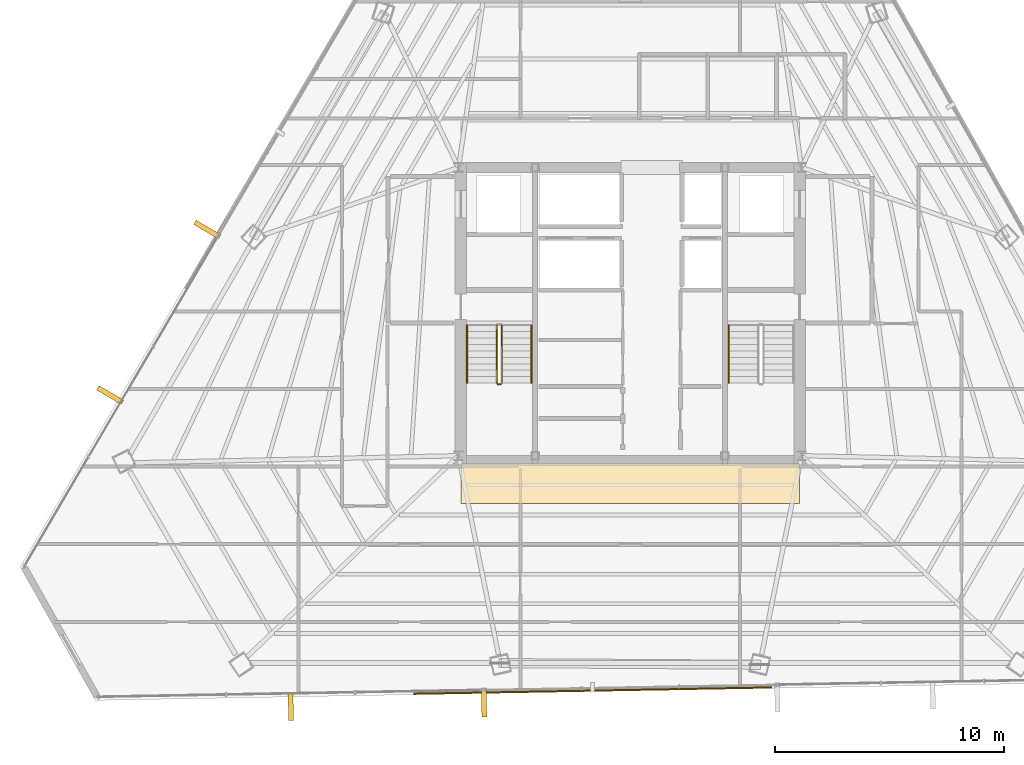
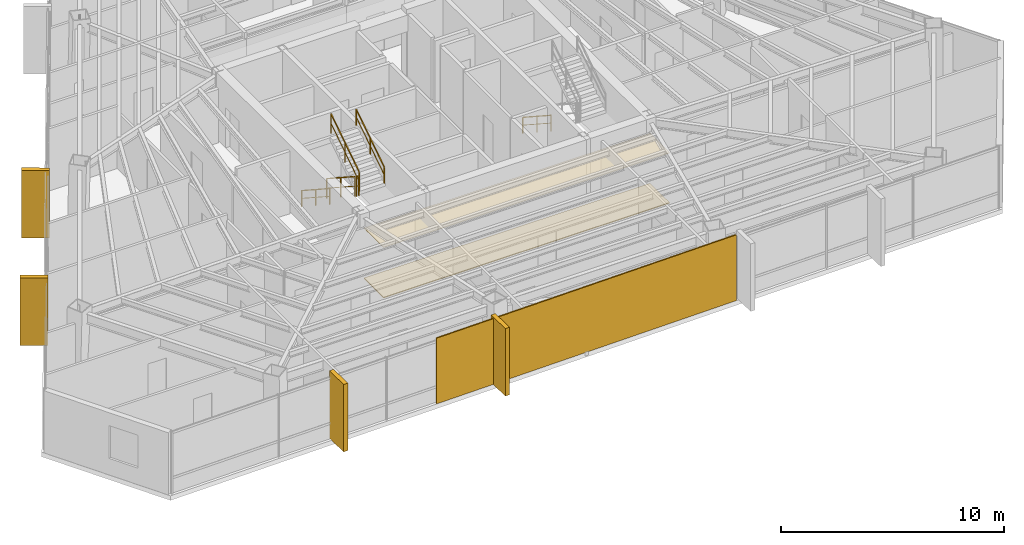
# One storey, part 39 of 42: 6 coverings, 6 railings, 1 shading device.
"""IFC4 building model written with IfcOpenShell, lengths in metres."""

from ifc_helpers import new_model, si_unit, direction, frame, origin, origin_2d, place, context, subcontext, project, spatial, polyline, rectangle, outline, extrude, source, transform, mapped, material, layer, layer_set, type_object, type_shapes, element, save


model = new_model("IFC4")

# Units and contexts
model_context = context("Model", 3, precision=1e-05, world=origin(), true_north=direction((0.0, 1.0)))
body_context = subcontext(model_context, "Body", "Model", "MODEL_VIEW")
ifc_project = project(units=[si_unit("LENGTHUNIT", "METRE"), si_unit("AREAUNIT", "SQUARE_METRE"), si_unit("VOLUMEUNIT", "CUBIC_METRE"), si_unit("PLANEANGLEUNIT", "RADIAN"), si_unit("MASSUNIT", "GRAM", prefix="KILO")], contexts=[model_context])

# Site, building, storey
site_placement = place(None, origin())
site = spatial("IfcSite", under=ifc_project, at=site_placement, CompositionType="ELEMENT")
building_placement = place(site_placement, origin())
building = spatial("IfcBuilding", under=site, at=building_placement, Name="Caelisora Broadcast Tower", CompositionType="ELEMENT")
storey_placement = place(building_placement, frame((0.0, 0.0, 202.300048828125)))
storey = spatial("IfcBuildingStorey", under=building, at=storey_placement, Name="L53", CompositionType="ELEMENT", Elevation=202.300048828125)

# Coverings
ifc_material_1 = material(Name="Perforated Mineral-Fibre Acoustic Ceiling Tile", Category="gypsum")
ifc_layer_1 = layer(ifc_material_1, 0.034912109375, Name="Perforated Mineral-Fibre Acoustic Ceiling Tile")
ifc_layer_set_1 = layer_set([ifc_layer_1], Name="Perforated Mineral-Fibre Acoustic Ceiling Tile")
covering_type_1 = type_object("IfcCoveringType", Name="CE-1", PredefinedType="CEILING", material=ifc_layer_set_1)
covering_1_placement = place(storey_placement, frame((0.0, 0.0, 2.75)))
element("IfcCovering", 1, at=covering_1_placement, inside=storey, type_object=covering_type_1, Name="L53 acoustic corridor ceiling CE-1 (S)", PredefinedType="CEILING", context=body_context, shape_type="SweptSolid", body=[
    extrude(outline(polyline([(30.60009765625, 15.300048828125), (45.39990234375, 15.300048828125), (45.39990234375, 17.050048828125), (30.60009765625, 17.050048828125), (30.60009765625, 15.300048828125)])), origin(), (0.0, 0.0, 1.0), 0.034912109375),
])
ifc_material_2 = material(Name="Anti-Static Broadcast Raised Access Floor Panel", Category="steel")
ifc_layer_2 = layer(ifc_material_2, 0.044921875, Name="Anti-Static Broadcast Raised Access Floor Panel")
ifc_layer_set_2 = layer_set([ifc_layer_2], Name="Anti-Static Broadcast Raised Access Floor Panel")
covering_type_2 = type_object("IfcCoveringType", Name="FL-1", PredefinedType="FLOORING", material=ifc_layer_set_2)
covering_2_placement = place(storey_placement, origin())
element("IfcCovering", 2, at=covering_2_placement, inside=storey, type_object=covering_type_2, Name="L53 broadcast raised access floor FL-1 (S)", PredefinedType="FLOORING", context=body_context, shape_type="SweptSolid", body=[
    extrude(outline(polyline([(30.60009765625, 15.300048828125), (45.39990234375, 15.300048828125), (45.39990234375, 17.050048828125), (30.60009765625, 17.050048828125), (30.60009765625, 15.300048828125)])), origin(), (0.0, 0.0, 1.0), 0.044921875),
])

# Railings
ifc_material_3 = material(Name="Galvanised Steel Safety Guardrail", Category="steel")
ifc_layer_3 = layer(ifc_material_3, 0.048095703125, Name="Galvanised Steel Safety Guardrail")
ifc_layer_set_3 = layer_set([ifc_layer_3], Name="Galvanised Steel Safety Guardrail")
railing_type_1 = type_object("IfcRailingType", Name="GR-1", PredefinedType="GUARDRAIL", material=ifc_layer_set_3)
railing_1_placement = place(storey_placement, frame((32.169921875, 23.10009765625, 0.182373046875)))
element("IfcRailing", 3, at=railing_1_placement, inside=storey, type_object=railing_type_1, Name="L53 ST-1 stair guard 1", PredefinedType="GUARDRAIL", context=body_context, shape_type="SweptSolid", body=[
    extrude(rectangle(XDim=0.048095703125, YDim=0.048095703125, at=origin_2d()), frame((0.0, 0.0, 1.076171875), z_axis=(0.0, -0.837749427056, 0.546054848405), x_axis=(1.0, 0.0, 0.0)), (0.0, 0.0, 1.0), 3.008056640625),
    extrude(rectangle(XDim=0.03125, YDim=0.03125, at=origin_2d()), frame((0.0, 0.0, 0.550048828125), z_axis=(0.0, -0.837749427056, 0.546054848405), x_axis=(1.0, 0.0, 0.0)), (0.0, 0.0, 1.0), 3.008056640625),
    extrude(rectangle(XDim=0.0419921875, YDim=0.0419921875, at=origin_2d()), origin(), (0.0, 0.0, 1.0), 1.052001953125),
    extrude(rectangle(XDim=0.0419921875, YDim=0.0419921875, at=origin_2d()), frame((0.0, -1.260009765625, 0.8212890625)), (0.0, 0.0, 1.0), 1.052001953125),
    extrude(rectangle(XDim=0.0419921875, YDim=0.0419921875, at=origin_2d()), frame((0.0, -2.52001953125, 1.642578125)), (0.0, 0.0, 1.0), 1.052001953125),
])
railing_2_placement = place(storey_placement, frame((32.219970703125, 20.530029296875, 1.824951171875)))
element("IfcRailing", 4, at=railing_2_placement, inside=storey, type_object=railing_type_1, Name="L53 ST-1 stair guard 2", PredefinedType="GUARDRAIL", context=body_context, shape_type="SweptSolid", body=[
    extrude(rectangle(XDim=0.048095703125, YDim=0.048095703125, at=origin_2d()), frame((0.0, 0.0, 1.076171875), z_axis=(1.0, 0.0, 0.0), x_axis=(0.0, 1.0, 0.0)), (0.0, 0.0, 1.0), 0.1201171875),
    extrude(rectangle(XDim=0.03125, YDim=0.03125, at=origin_2d()), frame((0.0, 0.0, 0.550048828125), z_axis=(1.0, 0.0, 0.0), x_axis=(0.0, 1.0, 0.0)), (0.0, 0.0, 1.0), 0.1201171875),
    extrude(rectangle(XDim=0.0419921875, YDim=0.0419921875, at=origin_2d()), origin(), (0.0, 0.0, 1.0), 1.052001953125),
    extrude(rectangle(XDim=0.0419921875, YDim=0.0419921875, at=origin_2d()), frame((0.1201171875, 0.0, 0.0)), (0.0, 0.0, 1.0), 1.052001953125),
])
railing_3_placement = place(storey_placement, frame((32.389892578125, 20.580078125, 2.007568359375)))
element("IfcRailing", 5, at=railing_3_placement, inside=storey, type_object=railing_type_1, Name="L53 ST-1 stair guard 3", PredefinedType="GUARDRAIL", context=body_context, shape_type="SweptSolid", body=[
    extrude(rectangle(XDim=0.048095703125, YDim=0.048095703125, at=origin_2d()), frame((0.0, 0.0, 1.076171875), z_axis=(0.0, 0.837786554691, 0.545997883492), x_axis=(-1.0, 0.0, 0.0)), (0.0, 0.0, 1.0), 3.008056640625),
    extrude(rectangle(XDim=0.03125, YDim=0.03125, at=origin_2d()), frame((0.0, 0.0, 0.550048828125), z_axis=(0.0, 0.837786554691, 0.545997883492), x_axis=(-1.0, 0.0, 0.0)), (0.0, 0.0, 1.0), 3.008056640625),
    extrude(rectangle(XDim=0.0419921875, YDim=0.0419921875, at=origin_2d()), origin(), (0.0, 0.0, 1.0), 1.052001953125),
    extrude(rectangle(XDim=0.0419921875, YDim=0.0419921875, at=origin_2d()), frame((0.0, 1.260009765625, 0.8212890625)), (0.0, 0.0, 1.0), 1.052001953125),
    extrude(rectangle(XDim=0.0419921875, YDim=0.0419921875, at=origin_2d()), frame((0.0, 2.52001953125, 1.642333984375)), (0.0, 0.0, 1.0), 1.052001953125),
])
ifc_material_4 = material(Name="Stainless Steel Grade 316 Tubular Handrail", Category="steel")
ifc_layer_4 = layer(ifc_material_4, 0.048095703125, Name="Stainless Steel Grade 316 Tubular Handrail")
ifc_layer_set_4 = layer_set([ifc_layer_4], Name="Stainless Steel Grade 316 Tubular Handrail")
railing_type_2 = type_object("IfcRailingType", Name="HR-1", PredefinedType="HANDRAIL", material=ifc_layer_set_4)
railing_4_placement = place(storey_placement, frame((30.8701171875, 23.10009765625, 0.182373046875)))
element("IfcRailing", 6, at=railing_4_placement, inside=storey, type_object=railing_type_2, Name="L53 ST-1 stair handrail 1", PredefinedType="HANDRAIL", context=body_context, shape_type="SweptSolid", body=[
    extrude(rectangle(XDim=0.048095703125, YDim=0.048095703125, at=origin_2d()), frame((0.0, 0.0, 0.8759765625), z_axis=(0.0, -0.837749427056, 0.546054848405), x_axis=(1.0, 0.0, 0.0)), (0.0, 0.0, 1.0), 3.008056640625),
    extrude(rectangle(XDim=0.03125, YDim=0.03125, at=origin_2d()), frame((0.0, 0.0, 0.449951171875), z_axis=(0.0, -0.837749427056, 0.546054848405), x_axis=(1.0, 0.0, 0.0)), (0.0, 0.0, 1.0), 3.008056640625),
    extrude(rectangle(XDim=0.0419921875, YDim=0.0419921875, at=origin_2d()), origin(), (0.0, 0.0, 1.0), 0.851806640625),
    extrude(rectangle(XDim=0.0419921875, YDim=0.0419921875, at=origin_2d()), frame((0.0, -1.260009765625, 0.8212890625)), (0.0, 0.0, 1.0), 0.851806640625),
    extrude(rectangle(XDim=0.0419921875, YDim=0.0419921875, at=origin_2d()), frame((0.0, -2.52001953125, 1.642578125)), (0.0, 0.0, 1.0), 0.851806640625),
])
railing_5_placement = place(storey_placement, frame((33.68994140625, 20.580078125, 2.007568359375)))
element("IfcRailing", 7, at=railing_5_placement, inside=storey, type_object=railing_type_2, Name="L53 ST-1 stair handrail 2", PredefinedType="HANDRAIL", context=body_context, shape_type="SweptSolid", body=[
    extrude(rectangle(XDim=0.048095703125, YDim=0.048095703125, at=origin_2d()), frame((0.0, 0.0, 0.8759765625), z_axis=(0.0, 0.837786554691, 0.545997883492), x_axis=(-1.0, 0.0, 0.0)), (0.0, 0.0, 1.0), 3.008056640625),
    extrude(rectangle(XDim=0.03125, YDim=0.03125, at=origin_2d()), frame((0.0, 0.0, 0.449951171875), z_axis=(0.0, 0.837786554691, 0.545997883492), x_axis=(-1.0, 0.0, 0.0)), (0.0, 0.0, 1.0), 3.008056640625),
    extrude(rectangle(XDim=0.0419921875, YDim=0.0419921875, at=origin_2d()), origin(), (0.0, 0.0, 1.0), 0.851806640625),
    extrude(rectangle(XDim=0.0419921875, YDim=0.0419921875, at=origin_2d()), frame((0.0, 1.260009765625, 0.8212890625)), (0.0, 0.0, 1.0), 0.851806640625),
    extrude(rectangle(XDim=0.0419921875, YDim=0.0419921875, at=origin_2d()), frame((0.0, 2.52001953125, 1.642333984375)), (0.0, 0.0, 1.0), 0.851806640625),
])
railing_6_placement = place(storey_placement, frame((42.31005859375, 23.10009765625, 0.182373046875)))
element("IfcRailing", 8, at=railing_6_placement, inside=storey, type_object=railing_type_2, Name="L53 ST-2 stair handrail 1", PredefinedType="HANDRAIL", context=body_context, shape_type="SweptSolid", body=[
    extrude(rectangle(XDim=0.048095703125, YDim=0.048095703125, at=origin_2d()), frame((0.0, 0.0, 0.8759765625), z_axis=(0.0, -0.837749427056, 0.546054848405), x_axis=(1.0, 0.0, 0.0)), (0.0, 0.0, 1.0), 3.008056640625),
    extrude(rectangle(XDim=0.03125, YDim=0.03125, at=origin_2d()), frame((0.0, 0.0, 0.449951171875), z_axis=(0.0, -0.837749427056, 0.546054848405), x_axis=(1.0, 0.0, 0.0)), (0.0, 0.0, 1.0), 3.008056640625),
    extrude(rectangle(XDim=0.0419921875, YDim=0.0419921875, at=origin_2d()), origin(), (0.0, 0.0, 1.0), 0.851806640625),
    extrude(rectangle(XDim=0.0419921875, YDim=0.0419921875, at=origin_2d()), frame((0.0, -1.260009765625, 0.8212890625)), (0.0, 0.0, 1.0), 0.851806640625),
    extrude(rectangle(XDim=0.0419921875, YDim=0.0419921875, at=origin_2d()), frame((0.0, -2.52001953125, 1.642578125)), (0.0, 0.0, 1.0), 0.851806640625),
])

# Coverings
ifc_material_5 = material(Name="Kiln-Fired Terracotta Spandrel Rainscreen Cladding", Category="ceramic")
ifc_layer_5 = layer(ifc_material_5, 0.044921875, Name="Kiln-Fired Terracotta Spandrel Rainscreen Cladding")
ifc_layer_set_5 = layer_set([ifc_layer_5], Name="Kiln-Fired Terracotta Spandrel Rainscreen Cladding")
covering_type_3 = type_object("IfcCoveringType", Name="CL-1", PredefinedType="CLADDING", material=ifc_layer_set_5)
shared_shape_1 = source(origin(), body_context, "Body", "SweptSolid", [
    extrude(rectangle(XDim=0.219970703125, YDim=1.25, at=origin_2d()), origin(), (0.0, 0.0, 1.0), 3.68994140625),
])
type_shapes(covering_type_3, [shared_shape_1])
for number, where, z_axis, x_axis, name in (
    (9, (31.617919921875, 6.59521484375, -0.02001953125), (0.0, 0.0, 1.0), (-0.999841542203, -0.017801418053, 0.0), "L53 vertical solar fin cladding #2-3"),
    (10, (23.166015625, 6.444091796875, -0.02001953125), (0.0, 0.0, 1.0), (-0.999841542203, -0.017801418053, 0.0), "L53 vertical solar fin cladding #2-4"),
    (11, (15.265625, 20.05322265625, -0.02001953125), (0.0, 0.0, 1.0), (0.506334807353, 0.862336977557, 0.0), "L53 vertical solar fin cladding #3-1"),
    (12, (19.513427734375, 27.285888671875, -0.02001953125), (0.0, 0.0, 1.0), (0.506334807353, 0.862336977557, 0.0), "L53 vertical solar fin cladding #3-2"),
):
    element("IfcCovering", number, at=place(storey_placement, frame(where, z_axis=z_axis, x_axis=x_axis)), inside=storey, type_object=covering_type_3, Name=name, PredefinedType="CLADDING", context=body_context, shape_type="MappedRepresentation", body=[
        mapped(shared_shape_1, transform((0.0, 0.0, 0.0), scale=1.0)),
    ])

# Shading device
ifc_material_6 = material(Name="Perforated Glazed Terracotta Baguette Solar Screen", Category="ceramic")
ifc_layer_6 = layer(ifc_material_6, 0.06494140625, Name="Perforated Glazed Terracotta Baguette Solar Screen")
ifc_layer_set_6 = layer_set([ifc_layer_6], Name="Perforated Glazed Terracotta Baguette Solar Screen")
shading_device_type = type_object("IfcShadingDeviceType", Name="SS-1", PredefinedType="USERDEFINED", material=ifc_layer_set_6)
shared_shape_2 = source(origin(), body_context, "Body", "SweptSolid", [
    extrude(rectangle(XDim=15.658935546875, YDim=0.06494140625, at=origin_2d()), origin(), (0.0, 0.0, 1.0), 3.590087890625),
])
type_shapes(shading_device_type, [shared_shape_2])
shading_device_placement = place(storey_placement, frame((36.361328125, 7.1298828125, 0.0), z_axis=(0.0, 0.0, 1.0), x_axis=(0.999841542203, 0.017801418053, 0.0)))
element("IfcShadingDevice", 13, at=shading_device_placement, inside=storey, type_object=shading_device_type, Name="L53 perforated terracotta solar screen #2", ObjectType="SOLAR SCREEN", PredefinedType="USERDEFINED", context=body_context, shape_type="MappedRepresentation", body=[
    mapped(shared_shape_2, transform((0.0, 0.0, 0.0), scale=1.0)),
])

save(model, "model.ifc")
